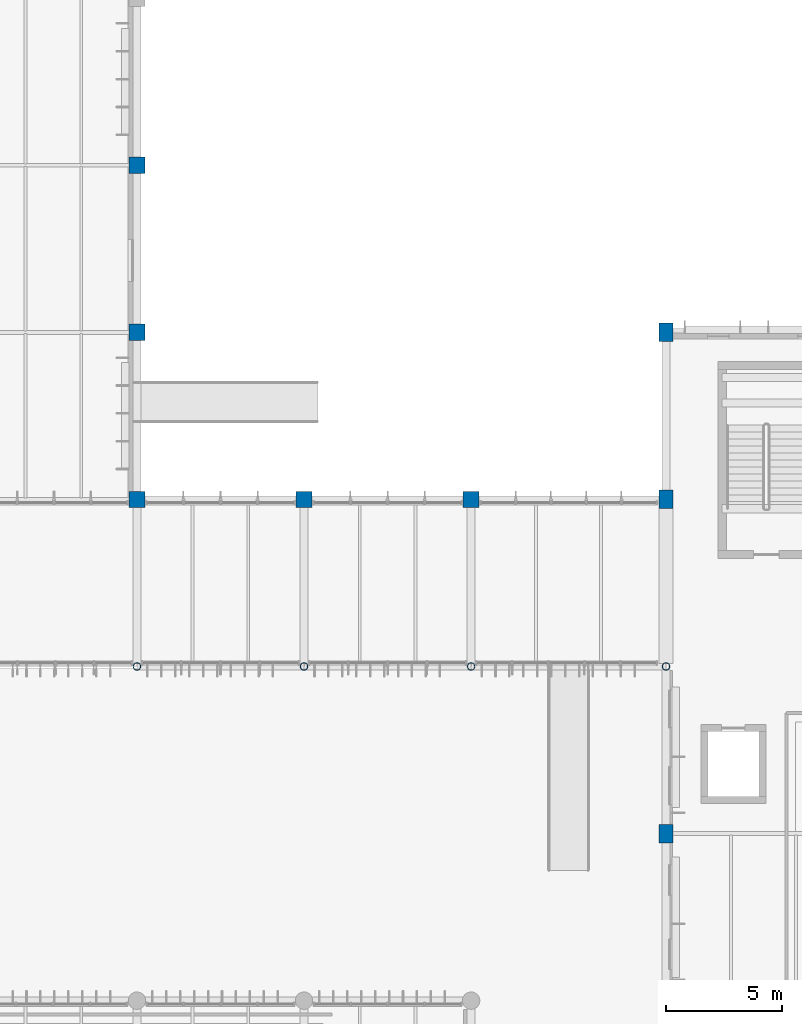
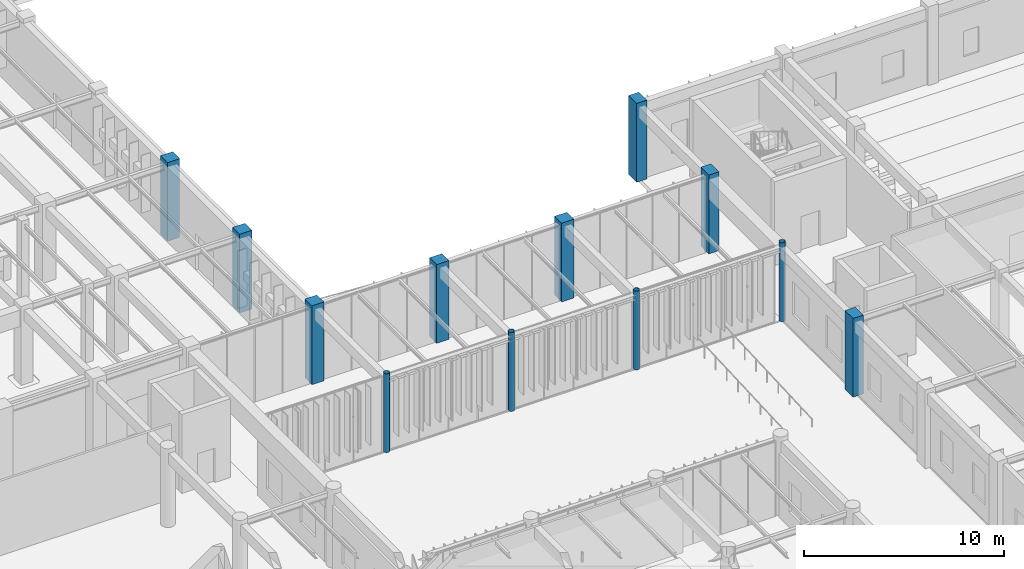
# One storey, part 7 of 122: 12 columns.
"""IFC4 building model written with IfcOpenShell, lengths in metres."""

from ifc_helpers import new_model, si_unit, direction, frame, origin, origin_2d, place, context, subcontext, project, spatial, rectangle, hollow_circle, extrude, material, material_profile, profile_set, type_object, element, save


model = new_model("IFC4")

# Units and contexts
model_context = context("Model", 3, precision=1e-05, world=origin(), true_north=direction((0.0, 1.0)))
body_context = subcontext(model_context, "Body", "Model", "MODEL_VIEW")
ifc_project = project(units=[si_unit("LENGTHUNIT", "METRE"), si_unit("AREAUNIT", "SQUARE_METRE"), si_unit("VOLUMEUNIT", "CUBIC_METRE"), si_unit("PLANEANGLEUNIT", "RADIAN"), si_unit("MASSUNIT", "GRAM", prefix="KILO")], contexts=[model_context])

# Site, building, storey
site_placement = place(None, origin())
site = spatial("IfcSite", under=ifc_project, at=site_placement, CompositionType="ELEMENT")
building_placement = place(site_placement, origin())
building = spatial("IfcBuilding", under=site, at=building_placement, Name="Tazoul Stagehouse", CompositionType="ELEMENT")
storey_placement = place(building_placement, origin())
storey = spatial("IfcBuildingStorey", under=building, at=storey_placement, Name="L00", CompositionType="ELEMENT", Elevation=0.0)

# Columns
ifc_material_1 = material(Name="Concrete C40/50", Category="concrete")
ifc_material_profile_1 = material_profile(ifc_material_1, rectangle(XDim=0.60009765625, YDim=0.800048828125, at=origin_2d()), Name="RC 600x800")
ifc_profile_set_1 = profile_set([ifc_material_profile_1], Name="Concrete C40/50")
column_type_1 = type_object("IfcColumnType", Name="RC Column 600x800 (Exterior)", PredefinedType="COLUMN", material=ifc_profile_set_1)
for number, where, z_axis, x_axis, name in (
    (1, (125.39990234375, 37.39990234375, 0.0), (0.0, 0.0, 1.0), (1.0, 0.0, 0.0), "L00 Column C-06E at 19/F"),
    (2, (125.39990234375, 51.800048828125, 0.0), (0.0, 0.0, 1.0), (1.0, 0.0, 0.0), "L00 Column C-06E at 19/H"),
    (3, (125.39990234375, 59.0, 0.0), (0.0, 0.0, 1.0), (1.0, 0.0, 0.0), "L00 Column C-06E at 19/J"),
):
    element("IfcColumn", number, at=place(storey_placement, frame(where, z_axis=z_axis, x_axis=x_axis)), inside=storey, type_object=column_type_1, Name=name, PredefinedType="COLUMN", context=body_context, shape_type="SweptSolid", body=[
        extrude(rectangle(XDim=0.60009765625, YDim=0.800048828125, at=origin_2d()), origin(), (0.0, 0.0, 1.0), 4.800048828125),
    ])
ifc_material_profile_2 = material_profile(ifc_material_1, rectangle(XDim=0.699951171875, YDim=0.699951171875, at=origin_2d()), Name="RC 700x700")
ifc_profile_set_2 = profile_set([ifc_material_profile_2], Name="Concrete C40/50")
column_type_2 = type_object("IfcColumnType", Name="RC Column 700x700 (Exterior)", PredefinedType="COLUMN", material=ifc_profile_set_2)
for number, where, z_axis, x_axis, name in (
    (4, (102.60009765625, 51.800048828125, 0.0), (0.0, 0.0, 1.0), (1.0, 0.0, 0.0), "L00 Column C-04E at 16/H"),
    (5, (102.60009765625, 59.0, 0.0), (0.0, 0.0, 1.0), (1.0, 0.0, 0.0), "L00 Column C-04E at 16/J"),
    (6, (102.60009765625, 66.199951171875, 0.0), (0.0, 0.0, 1.0), (1.0, 0.0, 0.0), "L00 Column C-04E at 16/K"),
    (7, (109.800048828125, 51.800048828125, 0.0), (0.0, 0.0, 1.0), (1.0, 0.0, 0.0), "L00 Column C-04E at 17/H"),
    (8, (117.0, 51.800048828125, 0.0), (0.0, 0.0, 1.0), (1.0, 0.0, 0.0), "L00 Column C-04E at 18/H"),
):
    element("IfcColumn", number, at=place(storey_placement, frame(where, z_axis=z_axis, x_axis=x_axis)), inside=storey, type_object=column_type_2, Name=name, PredefinedType="COLUMN", context=body_context, shape_type="SweptSolid", body=[
        extrude(rectangle(XDim=0.699951171875, YDim=0.699951171875, at=origin_2d()), origin(), (0.0, 0.0, 1.0), 4.800048828125),
    ])
ifc_material_2 = material(Name="Steel S355", Category="steel")
ifc_material_profile_3 = material_profile(ifc_material_2, hollow_circle(Radius=0.161865234375, WallThickness=0.012451171875, at=origin_2d()), Name="CHS 323.9x12.5")
ifc_profile_set_3 = profile_set([ifc_material_profile_3], Name="Steel S355")
column_type_3 = type_object("IfcColumnType", Name="Steel Arcade Column CHS 323.9x12.5 (Exterior)", PredefinedType="COLUMN", material=ifc_profile_set_3)
for number, where, z_axis, x_axis, name in (
    (9, (102.60009765625, 44.60009765625, 0.0), (0.0, 0.0, 1.0), (1.0, 0.0, 0.0), "L00 Column SC-07E at 16/G"),
    (10, (109.800048828125, 44.60009765625, 0.0), (0.0, 0.0, 1.0), (1.0, 0.0, 0.0), "L00 Column SC-07E at 17/G"),
    (11, (117.0, 44.60009765625, 0.0), (0.0, 0.0, 1.0), (1.0, 0.0, 0.0), "L00 Column SC-07E at 18/G"),
    (12, (125.39990234375, 44.60009765625, 0.0), (0.0, 0.0, 1.0), (1.0, 0.0, 0.0), "L00 Column SC-07E at 19/G"),
):
    element("IfcColumn", number, at=place(storey_placement, frame(where, z_axis=z_axis, x_axis=x_axis)), inside=storey, type_object=column_type_3, Name=name, PredefinedType="COLUMN", context=body_context, shape_type="SweptSolid", body=[
        extrude(hollow_circle(Radius=0.161865234375, WallThickness=0.012451171875, at=origin_2d()), origin(), (0.0, 0.0, 1.0), 4.800048828125),
    ])

save(model, "model.ifc")
